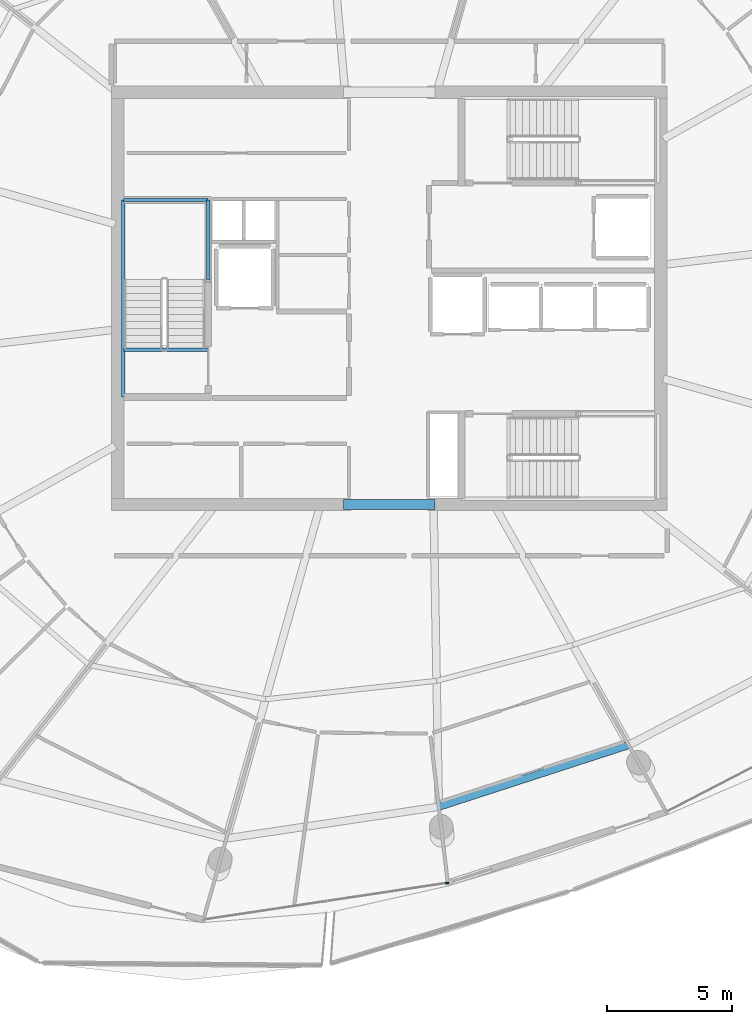
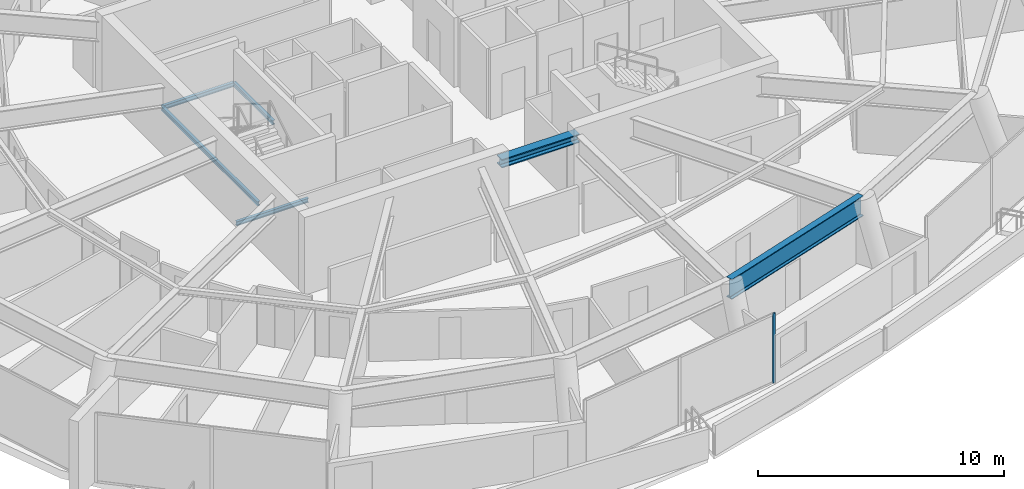
# One storey, part 8 of 27: 6 beams, 1 member, 1 element without a shape of its own.
"""IFC4 building model written with IfcOpenShell, lengths in metres."""

from ifc_helpers import new_model, si_unit, direction, frame, origin, origin_2d, place, context, subcontext, project, spatial, rectangle, i_section, extrude, material, layer, layer_set, material_profile, profile_set, type_object, element, aggregate, save


model = new_model("IFC4")

# Units and contexts
model_context = context("Model", 3, precision=1e-05, world=origin(), true_north=direction((0.0, 1.0)))
body_context = subcontext(model_context, "Body", "Model", "MODEL_VIEW")
ifc_project = project(units=[si_unit("LENGTHUNIT", "METRE"), si_unit("AREAUNIT", "SQUARE_METRE"), si_unit("VOLUMEUNIT", "CUBIC_METRE"), si_unit("PLANEANGLEUNIT", "RADIAN"), si_unit("MASSUNIT", "GRAM", prefix="KILO")], contexts=[model_context])

# Site, building, storey
site_placement = place(None, origin())
site = spatial("IfcSite", under=ifc_project, at=site_placement, CompositionType="ELEMENT")
building_placement = place(site_placement, origin())
building = spatial("IfcBuilding", under=site, at=building_placement, Name="Kazma Halo Residences", CompositionType="ELEMENT")
storey_placement = place(building_placement, frame((0.0, 0.0, 306.0)))
storey = spatial("IfcBuildingStorey", under=building, at=storey_placement, Name="L77", CompositionType="ELEMENT", Elevation=306.0)

# Beams
ifc_material_1 = material(Name="Steel S355", Category="steel")
ifc_material_profile_1 = material_profile(ifc_material_1, i_section(OverallWidth=0.408935546875, OverallDepth=0.425048828125, WebThickness=0.03271484375, FlangeThickness=0.052490234375, FilletRadius=0.02001953125, at=origin_2d()), Name="W360x421")
ifc_profile_set_1 = profile_set([ifc_material_profile_1], Name="Steel S355")
beam_type_1 = type_object("IfcBeamType", Name="BM-CORE-W360H", PredefinedType="BEAM", material=ifc_profile_set_1)
beam_1_placement = place(storey_placement, frame((46.60009765625, 33.75, 3.237548828125), z_axis=(1.0, 0.0, 0.0), x_axis=(0.0, 1.0, 0.0)))
element("IfcBeam", 1, at=beam_1_placement, inside=storey, type_object=beam_type_1, Name="L77 core coupling beam S", PredefinedType="BEAM", context=body_context, shape_type="SweptSolid", body=[
    extrude(i_section(OverallWidth=0.408935546875, OverallDepth=0.425048828125, WebThickness=0.03271484375, FlangeThickness=0.052490234375, FilletRadius=0.02001953125, at=origin_2d()), origin(), (0.0, 0.0, 1.0), 3.64990234375),
])
ifc_material_profile_2 = material_profile(ifc_material_1, i_section(OverallWidth=0.300048828125, OverallDepth=1.0, WebThickness=0.01904296875, FlangeThickness=0.0400390625, FilletRadius=0.02587890625, at=origin_2d()), Name="W1000x371")
ifc_profile_set_2 = profile_set([ifc_material_profile_2], Name="Steel S355")
beam_type_2 = type_object("IfcBeamType", Name="BM-TRANS-W1000B", PredefinedType="BEAM", material=ifc_profile_set_2)
beam_2_placement = place(storey_placement, frame((50.408447265625, 21.651123046875, 2.949951171875), z_axis=(0.95105314132, 0.309027381286, 0.0), x_axis=(-0.309027381286, 0.95105314132, 0.0)))
element("IfcBeam", 2, at=beam_2_placement, inside=storey, type_object=beam_type_2, Name="L77 perimeter ring beam 12", PredefinedType="BEAM", context=body_context, shape_type="SweptSolid", body=[
    extrude(i_section(OverallWidth=0.300048828125, OverallDepth=1.0, WebThickness=0.01904296875, FlangeThickness=0.0400390625, FilletRadius=0.02587890625, at=origin_2d()), origin(), (0.0, 0.0, 1.0), 7.9951171875),
])
ifc_material_profile_3 = material_profile(ifc_material_1, i_section(OverallWidth=0.133056640625, OverallDepth=0.20703125, WebThickness=0.005859375, FlangeThickness=0.00830078125, FilletRadius=0.010009765625, at=origin_2d()), Name="W200x26.6")
ifc_profile_set_3 = profile_set([ifc_material_profile_3], Name="Steel S355")
beam_type_3 = type_object("IfcBeamType", Name="BM-TRIM-W200", PredefinedType="BEAM", material=ifc_profile_set_3)
beam_3_placement = place(storey_placement, frame((37.800048828125, 39.949951171875, -0.510009765625), z_axis=(1.0, 0.0, 0.0), x_axis=(0.0, 1.0, 0.0)))
element("IfcBeam", 3, at=beam_3_placement, inside=storey, type_object=beam_type_3, Name="L77 ST-01 floor landing support beam", PredefinedType="BEAM", context=body_context, shape_type="SweptSolid", body=[
    extrude(i_section(OverallWidth=0.133056640625, OverallDepth=0.20703125, WebThickness=0.005859375, FlangeThickness=0.00830078125, FilletRadius=0.010009765625, at=origin_2d()), origin(), (0.0, 0.0, 1.0), 3.3798828125),
])
beam_4_placement = place(storey_placement, frame((37.780029296875, 38.06005859375, 1.6201171875), z_axis=(0.0, 1.0, 0.0), x_axis=(-1.0, 0.0, 0.0)))
element("IfcBeam", 4, at=beam_4_placement, inside=storey, type_object=beam_type_3, Name="L77 ST-01 landing west wall ledger", PredefinedType="BEAM", context=body_context, shape_type="SweptSolid", body=[
    extrude(i_section(OverallWidth=0.133056640625, OverallDepth=0.20703125, WebThickness=0.005859375, FlangeThickness=0.00830078125, FilletRadius=0.010009765625, at=origin_2d()), origin(), (0.0, 0.0, 1.0), 7.8798828125),
])
beam_5_placement = place(storey_placement, frame((41.179931640625, 42.75, 1.6201171875), z_axis=(0.0, 1.0, 0.0), x_axis=(-1.0, 0.0, 0.0)))
element("IfcBeam", 5, at=beam_5_placement, inside=storey, type_object=beam_type_3, Name="L77 ST-01 landing east wall ledger", PredefinedType="BEAM", context=body_context, shape_type="SweptSolid", body=[
    extrude(i_section(OverallWidth=0.133056640625, OverallDepth=0.20703125, WebThickness=0.005859375, FlangeThickness=0.00830078125, FilletRadius=0.010009765625, at=origin_2d()), origin(), (0.0, 0.0, 1.0), 3.18994140625),
])
beam_6_placement = place(storey_placement, frame((37.780029296875, 45.93994140625, 1.6201171875), z_axis=(1.0, 0.0, 0.0), x_axis=(0.0, 1.0, 0.0)))
element("IfcBeam", 6, at=beam_6_placement, inside=storey, type_object=beam_type_3, Name="L77 ST-01 landing end wall ledger", PredefinedType="BEAM", context=body_context, shape_type="SweptSolid", body=[
    extrude(i_section(OverallWidth=0.133056640625, OverallDepth=0.20703125, WebThickness=0.005859375, FlangeThickness=0.00830078125, FilletRadius=0.010009765625, at=origin_2d()), origin(), (0.0, 0.0, 1.0), 3.39990234375),
])

# Curtain wall, member
ifc_material_2 = material(Name="Aluminium AW-6063 T6 and Triple-Silver Low-E Glass", Category="aluminium")
ifc_layer = layer(ifc_material_2, 0.139892578125)
ifc_layer_set = layer_set([ifc_layer], Name="Aluminium AW-6063 T6 and Triple-Silver Low-E Glass")
curtain_wall_type = type_object("IfcCurtainWallType", Name="CW-SYS-5", PredefinedType="NOTDEFINED", material=ifc_layer_set)
curtain_wall_placement = place(storey_placement, origin())
curtain_wall = element("IfcCurtainWall", 7, at=curtain_wall_placement, inside=storey, type_object=curtain_wall_type, Name="L77 unitised curtain wall B11", PredefinedType="NOTDEFINED")
ifc_material_3 = material(Name="Aluminium AW-6063 T6", Category="aluminium")
ifc_material_profile_4 = material_profile(ifc_material_3, rectangle(XDim=0.06005859375, YDim=0.139892578125, at=origin_2d()), Name="CWM-60x140")
ifc_profile_set_4 = profile_set([ifc_material_profile_4], Name="Aluminium AW-6063 T6")
member_type = type_object("IfcMemberType", Name="CW-SYS-5-MUL", PredefinedType="MULLION", material=ifc_profile_set_4)
member_placement = place(storey_placement, frame((50.73974609375, 18.59765625, 0.0), z_axis=(0.0, 0.0, 1.0), x_axis=(-0.148747721629, 0.98887517681, 0.0)))
member = element("IfcMember", 8, at=member_placement, type_object=member_type, Name="CWS-5 mullion 3", PredefinedType="MULLION", context=body_context, shape_type="SweptSolid", body=[
    extrude(rectangle(XDim=0.06005859375, YDim=0.139892578125, at=origin_2d()), origin(), (0.0, 0.0, 1.0), 3.449951171875),
])
aggregate(curtain_wall, [member])

save(model, "model.ifc")
